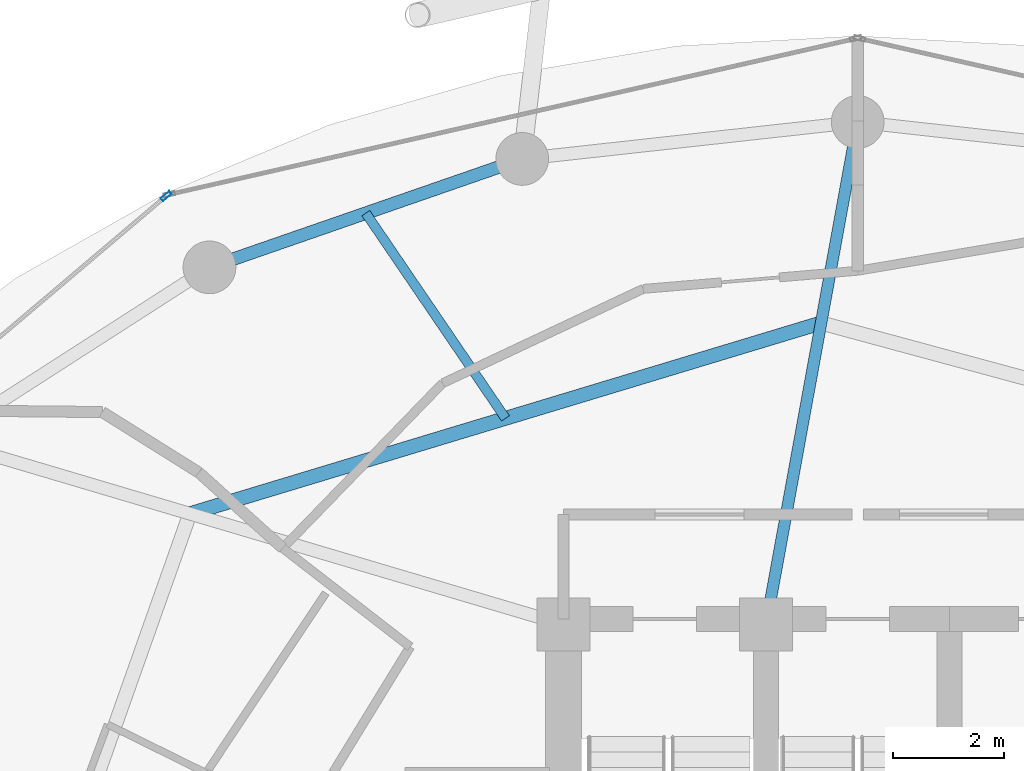
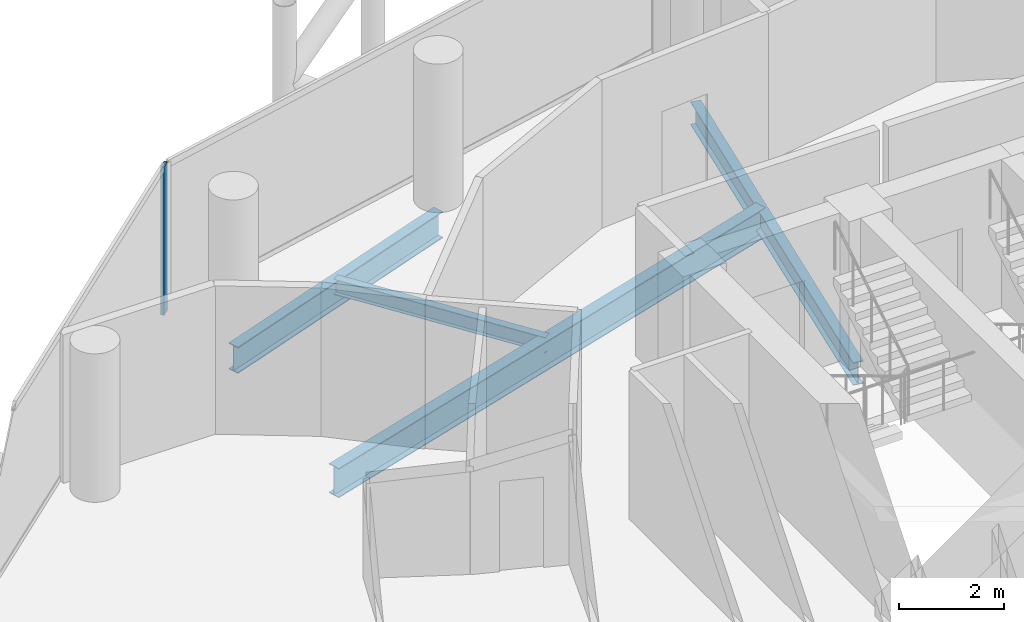
# One storey, part 15 of 26: 4 beams, 1 member, 1 element without a shape of its own.
"""IFC4 building model written with IfcOpenShell, lengths in metres."""

from ifc_helpers import new_model, si_unit, direction, frame, origin, origin_2d, place, context, subcontext, project, spatial, hollow_rectangle, i_section, extrude, material, layer, layer_set, material_profile, profile_set, type_object, element, aggregate, save


model = new_model("IFC4")

# Units and contexts
model_context = context("Model", 3, precision=1e-05, world=origin(), true_north=direction((0.0, 1.0)))
body_context = subcontext(model_context, "Body", "Model", "MODEL_VIEW")
ifc_project = project(units=[si_unit("LENGTHUNIT", "METRE"), si_unit("AREAUNIT", "SQUARE_METRE"), si_unit("VOLUMEUNIT", "CUBIC_METRE"), si_unit("PLANEANGLEUNIT", "RADIAN"), si_unit("MASSUNIT", "GRAM", prefix="KILO")], contexts=[model_context])

# Site, building, storey
site_placement = place(None, origin())
site = spatial("IfcSite", under=ifc_project, at=site_placement, CompositionType="ELEMENT")
building_placement = place(site_placement, origin())
building = spatial("IfcBuilding", under=site, at=building_placement, Name="Nuhasar Tower", CompositionType="ELEMENT")
storey_placement = place(building_placement, frame((0.0, 0.0, 181.14990234375)))
storey = spatial("IfcBuildingStorey", under=building, at=storey_placement, Name="L44", CompositionType="ELEMENT", Elevation=181.14990234375)

# Beams
ifc_material_1 = material(Name="Steel S355", Category="steel")
ifc_material_profile_1 = material_profile(ifc_material_1, i_section(OverallWidth=0.25390625, OverallDepth=0.68408203125, WebThickness=0.012451171875, FlangeThickness=0.018798828125, at=origin_2d()), Name="W27X94")
ifc_profile_set_1 = profile_set([ifc_material_profile_1], Name="Steel S355")
beam_type_1 = type_object("IfcBeamType", Name="BM-INRING-W27X94", PredefinedType="BEAM", material=ifc_profile_set_1)
beam_1_placement = place(storey_placement, frame((38.340087890625, 42.72998046875, -0.591796875), z_axis=(-0.95722440557, -0.289346569673, 0.0), x_axis=(0.289346569673, -0.95722440557, 0.0)))
element("IfcBeam", 1, at=beam_1_placement, inside=storey, type_object=beam_type_1, Name="L44 Inner Header Beam 06", PredefinedType="BEAM", context=body_context, shape_type="SweptSolid", body=[
    extrude(i_section(OverallWidth=0.25390625, OverallDepth=0.68408203125, WebThickness=0.012451171875, FlangeThickness=0.018798828125, at=origin_2d()), origin(), (0.0, 0.0, 1.0), 11.875244140625),
])
ifc_material_profile_2 = material_profile(ifc_material_1, i_section(OverallWidth=0.1708984375, OverallDepth=0.35205078125, WebThickness=0.0068359375, FlangeThickness=0.009765625, at=origin_2d()), Name="W14X30")
ifc_profile_set_2 = profile_set([ifc_material_profile_2], Name="Steel S355")
beam_type_2 = type_object("IfcBeamType", Name="BM-JST-W14X30", PredefinedType="JOIST", material=ifc_profile_set_2)
beam_2_placement = place(storey_placement, frame((32.656982421875, 41.011962890625, -0.42578125), z_axis=(-0.562802886474, 0.826591138941, 0.0), x_axis=(-0.826591138941, -0.562802886474, 0.0)))
element("IfcBeam", 2, at=beam_2_placement, inside=storey, type_object=beam_type_2, Name="L44 Secondary Floor Joist 06", PredefinedType="JOIST", context=body_context, shape_type="SweptSolid", body=[
    extrude(i_section(OverallWidth=0.1708984375, OverallDepth=0.35205078125, WebThickness=0.0068359375, FlangeThickness=0.009765625, at=origin_2d()), origin(), (0.0, 0.0, 1.0), 4.47021484375),
])
ifc_material_profile_3 = material_profile(ifc_material_1, i_section(OverallWidth=0.208984375, OverallDepth=0.532958984375, WebThickness=0.01025390625, FlangeThickness=0.015625, at=origin_2d()), Name="W21X62")
ifc_profile_set_3 = profile_set([ifc_material_profile_3], Name="Steel S355")
beam_type_3 = type_object("IfcBeamType", Name="BM-RAD-W21X62", PredefinedType="BEAM", material=ifc_profile_set_3)
beam_3_placement = place(storey_placement, frame((37.35009765625, 37.300048828125, -0.516845703125), z_axis=(0.179352509513, 0.983784873502, 0.0), x_axis=(-0.983784873502, 0.179352509513, 0.0)))
element("IfcBeam", 3, at=beam_3_placement, inside=storey, type_object=beam_type_3, Name="L44 Radial Floor Girder 06", PredefinedType="BEAM", context=body_context, shape_type="SweptSolid", body=[
    extrude(i_section(OverallWidth=0.208984375, OverallDepth=0.532958984375, WebThickness=0.01025390625, FlangeThickness=0.015625, at=origin_2d()), origin(), (0.0, 0.0, 1.0), 9.19921875),
])
ifc_material_profile_4 = material_profile(ifc_material_1, i_section(OverallWidth=0.22998046875, OverallDepth=0.616943359375, WebThickness=0.01318359375, FlangeThickness=0.022216796875, at=origin_2d()), Name="W24X94")
ifc_profile_set_4 = profile_set([ifc_material_profile_4], Name="Steel S355")
beam_type_4 = type_object("IfcBeamType", Name="BM-RING-W24X94", PredefinedType="SPANDREL", material=ifc_profile_set_4)
beam_4_placement = place(storey_placement, frame((32.95703125, 45.68408203125, -0.558837890625), z_axis=(-0.944801380051, -0.327643636066, 0.0), x_axis=(0.327643636066, -0.944801380051, 0.0)))
element("IfcBeam", 4, at=beam_4_placement, inside=storey, type_object=beam_type_4, Name="L44 Perimeter Ring Spandrel 08", PredefinedType="SPANDREL", context=body_context, shape_type="SweptSolid", body=[
    extrude(i_section(OverallWidth=0.22998046875, OverallDepth=0.616943359375, WebThickness=0.01318359375, FlangeThickness=0.022216796875, at=origin_2d()), origin(), (0.0, 0.0, 1.0), 5.961181640625),
])

# Curtain wall, member
ifc_material_2 = material(Name="Aluminium 6063-T6", Category="aluminium")
ifc_layer = layer(ifc_material_2, 0.199951171875)
ifc_layer_set = layer_set([ifc_layer], Name="Aluminium 6063-T6")
curtain_wall_type = type_object("IfcCurtainWallType", Name="CW-Z2-HTL", PredefinedType="NOTDEFINED", material=ifc_layer_set)
curtain_wall_placement = place(storey_placement, origin())
curtain_wall = element("IfcCurtainWall", 5, at=curtain_wall_placement, inside=storey, type_object=curtain_wall_type, Name="L44 Unitised Curtain Wall 05", PredefinedType="NOTDEFINED")
ifc_material_profile_5 = material_profile(ifc_material_2, hollow_rectangle(XDim=0.070068359375, YDim=0.199951171875, WallThickness=0.0048828125, at=origin_2d()), Name="CWM-3")
ifc_profile_set_5 = profile_set([ifc_material_profile_5], Name="Aluminium 6063-T6")
member_type = type_object("IfcMemberType", Name="CW-MUL-S3", PredefinedType="MULLION", material=ifc_profile_set_5)
member_placement = place(storey_placement, frame((26.543212890625, 45.015380859375, 0.0), z_axis=(0.0, 0.0, 1.0), x_axis=(0.646374438324, -0.763020370292, 0.0)))
member = element("IfcMember", 6, at=member_placement, type_object=member_type, Name="CW-Z2 mullion 1", PredefinedType="MULLION", context=body_context, shape_type="SweptSolid", body=[
    extrude(hollow_rectangle(XDim=0.070068359375, YDim=0.199951171875, WallThickness=0.0048828125, at=origin_2d()), origin(), (0.0, 0.0, 1.0), 3.4501953125),
])
aggregate(curtain_wall, [member])

save(model, "model.ifc")
